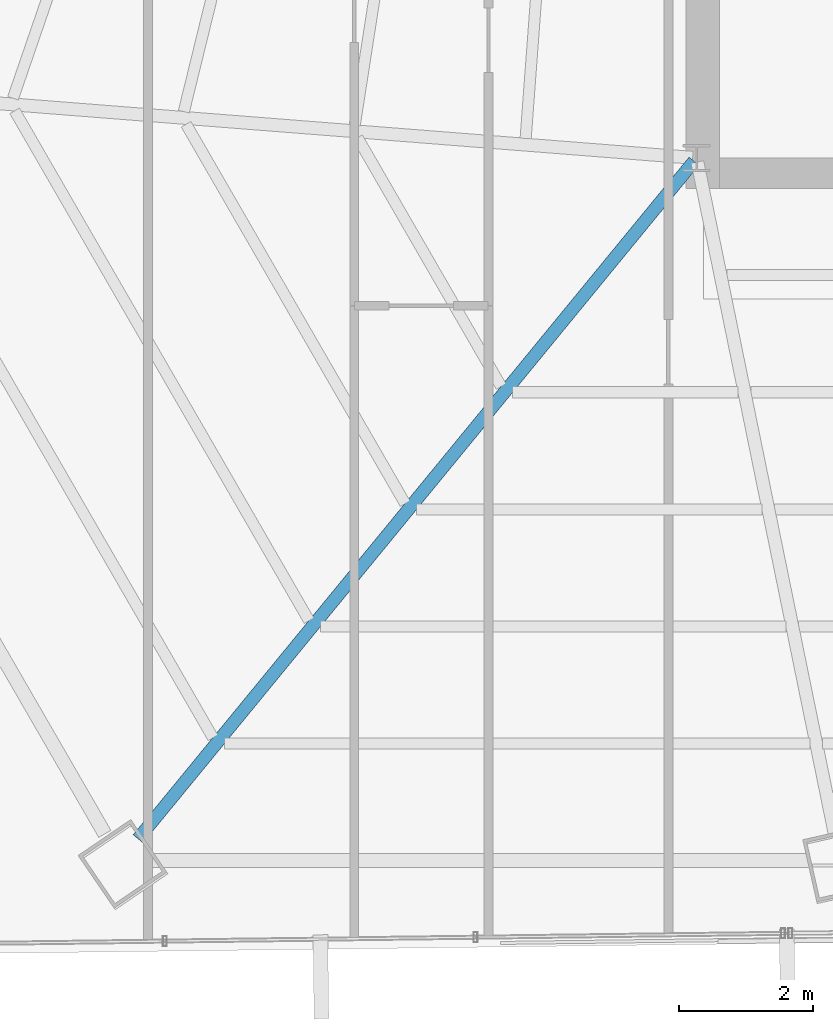
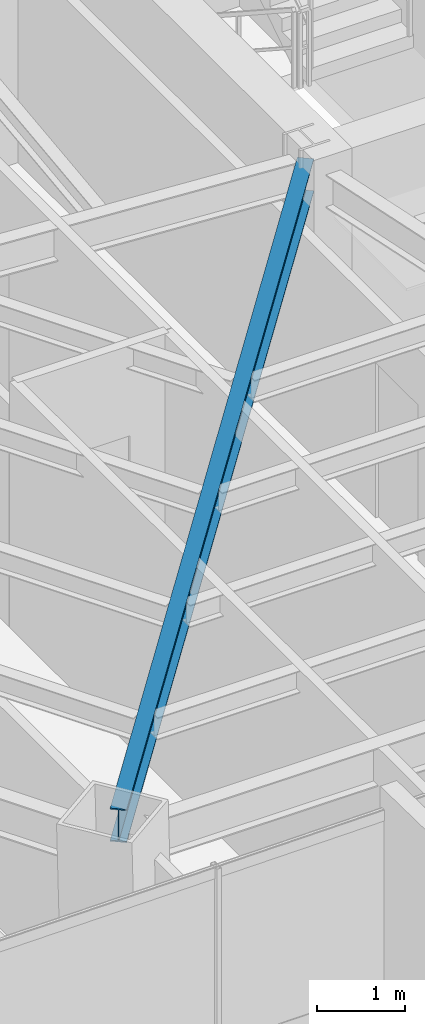
# One storey, part 5 of 42: 1 beam.
"""IFC4 building model written with IfcOpenShell, lengths in metres."""

from ifc_helpers import new_model, si_unit, direction, frame, origin, origin_2d, place, context, subcontext, project, spatial, i_section, extrude, source, transform, mapped, material, material_profile, profile_set, type_object, type_shapes, element, save


model = new_model("IFC4")

# Units and contexts
model_context = context("Model", 3, precision=1e-05, world=origin(), true_north=direction((0.0, 1.0)))
body_context = subcontext(model_context, "Body", "Model", "MODEL_VIEW")
ifc_project = project(units=[si_unit("LENGTHUNIT", "METRE"), si_unit("AREAUNIT", "SQUARE_METRE"), si_unit("VOLUMEUNIT", "CUBIC_METRE"), si_unit("PLANEANGLEUNIT", "RADIAN"), si_unit("MASSUNIT", "GRAM", prefix="KILO")], contexts=[model_context])

# Site, building, storey
site_placement = place(None, origin())
site = spatial("IfcSite", under=ifc_project, at=site_placement, CompositionType="ELEMENT")
building_placement = place(site_placement, origin())
building = spatial("IfcBuilding", under=site, at=building_placement, Name="Caelisora Broadcast Tower", CompositionType="ELEMENT")
storey_placement = place(building_placement, frame((0.0, 0.0, 131.800048828125)))
storey = spatial("IfcBuildingStorey", under=building, at=storey_placement, Name="L34", CompositionType="ELEMENT", Elevation=131.800048828125)

# Beam
ifc_material = material(Name="Steel Grade 350 (AS/NZS 3679.1)", Category="steel")
ifc_material_profile = material_profile(ifc_material, i_section(OverallWidth=0.19091796875, OverallDepth=0.46044921875, WebThickness=0.010009765625, FlangeThickness=0.01611328125, at=origin_2d()), Name="Steel Grade 350 (AS/NZS 3679.1)")
ifc_profile_set = profile_set([ifc_material_profile], Name="Steel Grade 350 (AS/NZS 3679.1)")
beam_type = type_object("IfcBeamType", Name="PG06", PredefinedType="BEAM", material=ifc_profile_set)
shared_shape = source(origin(), body_context, "Body", "SweptSolid", [
    extrude(i_section(OverallWidth=0.19091796875, OverallDepth=0.46044921875, WebThickness=0.010009765625, FlangeThickness=0.01611328125, at=origin_2d()), origin(), (0.0, 0.0, 1.0), 13.0546875),
])
type_shapes(beam_type, [shared_shape])
beam_placement = place(storey_placement, frame((30.4619140625, 17.353515625, 3.169677734375), z_axis=(-0.6342922519, -0.773093357351, 0.0), x_axis=(0.773093357351, -0.6342922519, 0.0)))
element("IfcBeam", 1, at=beam_placement, inside=storey, type_object=beam_type, Name="L34 beam PG06", PredefinedType="BEAM", context=body_context, shape_type="MappedRepresentation", body=[
    mapped(shared_shape, transform((0.0, 0.0, 0.0), scale=1.0)),
])

save(model, "model.ifc")
